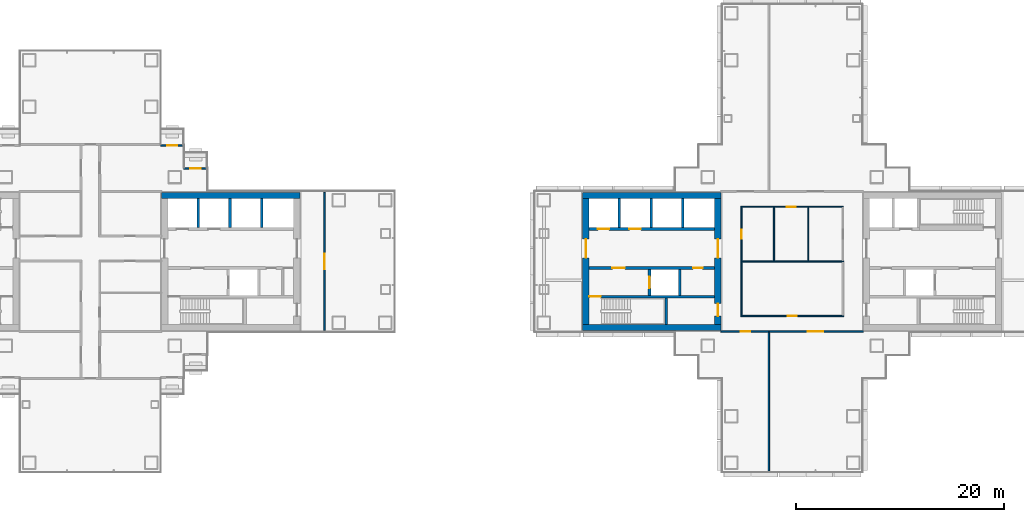
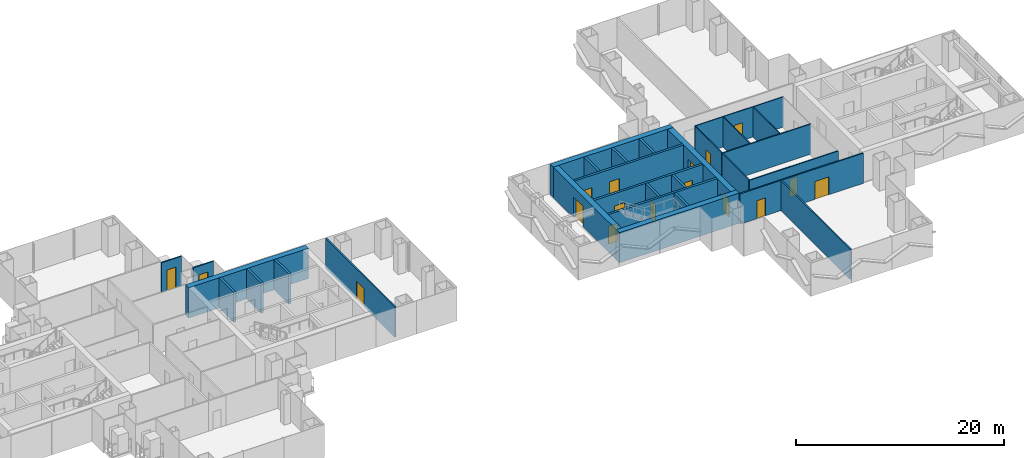
# One storey, part 14 of 20: 29 walls, 17 doors, 17 openings.
"""IFC4 building model written with IfcOpenShell, lengths in metres."""

from ifc_helpers import new_model, si_unit, direction, frame, frame_2d, origin, place, context, subcontext, project, spatial, rectangle, extrude, material, layer, layer_set, type_object, element, fill, save


model = new_model("IFC4")

# Units and contexts
model_context = context("Model", 3, precision=1e-05, world=origin(), true_north=direction((0.0, 1.0)))
body_context = subcontext(model_context, "Body", "Model", "MODEL_VIEW")
ifc_project = project(units=[si_unit("LENGTHUNIT", "METRE"), si_unit("AREAUNIT", "SQUARE_METRE"), si_unit("VOLUMEUNIT", "CUBIC_METRE"), si_unit("PLANEANGLEUNIT", "RADIAN"), si_unit("MASSUNIT", "GRAM", prefix="KILO")], contexts=[model_context])

# Site, building, storey
site_placement = place(None, origin())
site = spatial("IfcSite", under=ifc_project, at=site_placement, CompositionType="ELEMENT")
building_placement = place(site_placement, origin())
building = spatial("IfcBuilding", under=site, at=building_placement, Name="Shamsa Quay Exchange Towers", CompositionType="ELEMENT")
storey_placement = place(building_placement, frame((0.0, 0.0, 101.39990234375)))
storey = spatial("IfcBuildingStorey", under=building, at=storey_placement, Name="L23", CompositionType="ELEMENT", Elevation=101.39990234375)

# Wall, opening, door
ifc_material_1 = material(Name="Aluminium EN AW-6063 T6, black anodised, with black enamelled glass infill", Category="aluminium")
ifc_layer_1 = layer(ifc_material_1, 0.14990234375)
ifc_layer_set_1 = layer_set([ifc_layer_1], Name="BALCONY DOOR BAY WALL 150")
wall_type_1 = type_object("IfcWallType", Name="BALCONY DOOR BAY WALL 150", PredefinedType="SOLIDWALL", material=ifc_layer_set_1)
wall_1_placement = place(storey_placement, frame((-24.75, 8.925048828125, 0.0)))
wall_1 = element("IfcWall", 1, at=wall_1_placement, inside=storey, type_object=wall_type_1, Name="Door bay T1-PKEN L23", PredefinedType="SOLIDWALL", context=body_context, shape_type="SweptSolid", body=[
    extrude(rectangle(XDim=2.25, YDim=0.14990234375, at=frame_2d((1.125, 0.0))), origin(), (0.0, 0.0, 1.0), 3.4501953125),
])
opening_1_placement = place(wall_1_placement, frame((0.625, 0.0, 0.0)))
opening_1 = element("IfcOpeningElement", 2, at=opening_1_placement, cuts=wall_1, Name="Opening XD145", PredefinedType="OPENING", context=body_context, shape_type="SweptSolid", body=[
    extrude(rectangle(XDim=1.0, YDim=2.39990234375, at=frame_2d((0.5, 1.199951171875))), frame((0.0, 0.0849609375, 0.0), z_axis=(0.0, -1.0, 0.0), x_axis=(1.0, 0.0, 0.0)), (0.0, 0.0, 1.0), 0.169921875),
])
ifc_material_2 = material(Name="Aluminium EN AW-6063 T6, black anodised, with laminated glass leaf", Category="aluminium")
door_type_1 = type_object("IfcDoorType", Name="BALCONY DOOR 1000x2400", OperationType="SINGLE_SWING_LEFT", PredefinedType="DOOR", material=ifc_material_2)
door_1_placement = place(opening_1_placement, origin())
door_1 = element("IfcDoor", 3, at=door_1_placement, inside=storey, type_object=door_type_1, Name="Balcony door T1-PKEN L23", OperationType="SINGLE_SWING_RIGHT", OverallHeight=2.39990234375, OverallWidth=1.0, PredefinedType="DOOR", context=body_context, shape_type="SweptSolid", body=[
    extrude(rectangle(XDim=1.0, YDim=2.39990234375, at=frame_2d((0.5, 1.199951171875))), frame((0.0, 0.02490234375, 0.0), z_axis=(0.0, -1.0, 0.0), x_axis=(1.0, 0.0, 0.0)), (0.0, 0.0, 1.0), 0.050048828125),
])
fill(opening_1, door_1)

wall_2_placement = place(storey_placement, frame((-27.0, 11.175048828125, 0.0)))
wall_2 = element("IfcWall", 4, at=wall_2_placement, inside=storey, type_object=wall_type_1, Name="Door bay T1-PKEN L23", PredefinedType="SOLIDWALL", context=body_context, shape_type="SweptSolid", body=[
    extrude(rectangle(XDim=2.25, YDim=0.14990234375, at=frame_2d((1.125, 0.0))), origin(), (0.0, 0.0, 1.0), 3.4501953125),
])
opening_2_placement = place(wall_2_placement, frame((0.625, 0.0, 0.0)))
opening_2 = element("IfcOpeningElement", 5, at=opening_2_placement, cuts=wall_2, Name="Opening XD146", PredefinedType="OPENING", context=body_context, shape_type="SweptSolid", body=[
    extrude(rectangle(XDim=1.0, YDim=2.39990234375, at=frame_2d((0.5, 1.199951171875))), frame((0.0, 0.0849609375, 0.0), z_axis=(0.0, -1.0, 0.0), x_axis=(1.0, 0.0, 0.0)), (0.0, 0.0, 1.0), 0.169921875),
])
door_2_placement = place(opening_2_placement, origin())
door_2 = element("IfcDoor", 6, at=door_2_placement, inside=storey, type_object=door_type_1, Name="Balcony door T1-PKEN L23", OperationType="SINGLE_SWING_LEFT", OverallHeight=2.39990234375, OverallWidth=1.0, PredefinedType="DOOR", context=body_context, shape_type="SweptSolid", body=[
    extrude(rectangle(XDim=1.0, YDim=2.39990234375, at=frame_2d((0.5, 1.199951171875))), frame((0.0, 0.02490234375, 0.0), z_axis=(0.0, -1.0, 0.0), x_axis=(1.0, 0.0, 0.0)), (0.0, 0.0, 1.0), 0.050048828125),
])
fill(opening_2, door_2)

# Walls
ifc_material_3 = material(Name="Concrete C70/85", Category="concrete")
ifc_layer_2 = layer(ifc_material_3, 0.60009765625)
ifc_layer_set_2 = layer_set([ifc_layer_2], Name="CORE WALL 600 C70/85")
wall_type_2 = type_object("IfcWallType", Name="CORE WALL 600 C70/85", PredefinedType="SHEAR", material=ifc_layer_set_2)
for number, where, name in (
    (7, (-26.89990234375, 6.35009765625, 0.0), "Core wall T1A-R10-PN"),
    (8, (13.60009765625, -6.35009765625, 0.0), "Core wall T2A-R10-PS"),
    (9, (13.60009765625, 6.35009765625, 0.0), "Core wall T2A-R10-PN"),
):
    element("IfcWall", number, at=place(storey_placement, frame(where)), inside=storey, type_object=wall_type_2, Name=name, PredefinedType="SHEAR", context=body_context, shape_type="SweptSolid", body=[
        extrude(rectangle(XDim=13.2998046875, YDim=0.60009765625, at=frame_2d((6.64990234375, 0.0))), origin(), (0.0, 0.0, 1.0), 3.550048828125),
    ])

# Wall, opening, door
wall_3_placement = place(storey_placement, frame((13.89990234375, 6.050048828125, 0.0), z_axis=(0.0, 0.0, 1.0), x_axis=(0.0, -1.0, 0.0)))
wall_3 = element("IfcWall", 10, at=wall_3_placement, inside=storey, type_object=wall_type_2, Name="Core wall T2A-R10-PF", PredefinedType="SHEAR", context=body_context, shape_type="SweptSolid", body=[
    extrude(rectangle(XDim=12.10009765625, YDim=0.60009765625, at=frame_2d((6.050048828125, 0.0))), origin(), (0.0, 0.0, 1.0), 3.550048828125),
])
opening_3_placement = place(wall_3_placement, frame((3.89990234375, 0.0, 0.0)))
opening_3 = element("IfcOpeningElement", 11, at=opening_3_placement, cuts=wall_3, Name="Opening T2A-R10-LBD01", PredefinedType="OPENING", context=body_context, shape_type="SweptSolid", body=[
    extrude(rectangle(XDim=1.800048828125, YDim=2.39990234375, at=frame_2d((0.89990234375, 1.199951171875))), frame((0.0, 0.31005859375, 0.0), z_axis=(0.0, -1.0, 0.0), x_axis=(1.0, 0.0, 0.0)), (0.0, 0.0, 1.0), 0.6201171875),
])
ifc_material_4 = material(Name="Steel, fire rated", Category="steel")
door_type_2 = type_object("IfcDoorType", Name="LIFT LOBBY DOOR PAIR 1800", OperationType="DOUBLE_DOOR_SINGLE_SWING", PredefinedType="DOOR", material=ifc_material_4)
door_3_placement = place(opening_3_placement, origin())
door_3 = element("IfcDoor", 12, at=door_3_placement, inside=storey, type_object=door_type_2, Name="T2A-R10-LBD01", OperationType="DOUBLE_DOOR_SINGLE_SWING", OverallHeight=2.39990234375, OverallWidth=1.800048828125, PredefinedType="DOOR", context=body_context, shape_type="SweptSolid", body=[
    extrude(rectangle(XDim=1.800048828125, YDim=2.39990234375, at=frame_2d((0.89990234375, 1.199951171875))), frame((0.0, 0.02490234375, 0.0), z_axis=(0.0, -1.0, 0.0), x_axis=(1.0, 0.0, 0.0)), (0.0, 0.0, 1.0), 0.050048828125),
])
fill(opening_3, door_3)

# Wall, openings, doors
wall_4_placement = place(storey_placement, frame((26.60009765625, 6.050048828125, 0.0), z_axis=(0.0, 0.0, 1.0), x_axis=(0.0, -1.0, 0.0)))
wall_4 = element("IfcWall", 13, at=wall_4_placement, inside=storey, type_object=wall_type_2, Name="Core wall T2A-R10-PB", PredefinedType="SHEAR", context=body_context, shape_type="SweptSolid", body=[
    extrude(rectangle(XDim=12.10009765625, YDim=0.60009765625, at=frame_2d((6.050048828125, 0.0))), origin(), (0.0, 0.0, 1.0), 3.550048828125),
])
opening_4_placement = place(wall_4_placement, frame((10.10009765625, 0.0, 0.0)))
opening_4 = element("IfcOpeningElement", 14, at=opening_4_placement, cuts=wall_4, Name="Opening T2A-R10-RD02", PredefinedType="OPENING", context=body_context, shape_type="SweptSolid", body=[
    extrude(rectangle(XDim=1.199951171875, YDim=2.10009765625, at=frame_2d((0.60009765625, 1.050048828125))), frame((0.0, 0.31005859375, 0.0), z_axis=(0.0, -1.0, 0.0), x_axis=(1.0, 0.0, 0.0)), (0.0, 0.0, 1.0), 0.6201171875),
])
opening_5_placement = place(wall_4_placement, frame((3.89990234375, 0.0, 0.0)))
opening_5 = element("IfcOpeningElement", 15, at=opening_5_placement, cuts=wall_4, Name="Opening T2A-R10-LBD03", PredefinedType="OPENING", context=body_context, shape_type="SweptSolid", body=[
    extrude(rectangle(XDim=1.800048828125, YDim=2.39990234375, at=frame_2d((0.89990234375, 1.199951171875))), frame((0.0, 0.31005859375, 0.0), z_axis=(0.0, -1.0, 0.0), x_axis=(1.0, 0.0, 0.0)), (0.0, 0.0, 1.0), 0.6201171875),
])
door_4_placement = place(opening_5_placement, origin())
door_4 = element("IfcDoor", 16, at=door_4_placement, inside=storey, type_object=door_type_2, Name="T2A-R10-LBD03", OperationType="DOUBLE_DOOR_SINGLE_SWING", OverallHeight=2.39990234375, OverallWidth=1.800048828125, PredefinedType="DOOR", context=body_context, shape_type="SweptSolid", body=[
    extrude(rectangle(XDim=1.800048828125, YDim=2.39990234375, at=frame_2d((0.89990234375, 1.199951171875))), frame((0.0, 0.02490234375, 0.0), z_axis=(0.0, -1.0, 0.0), x_axis=(1.0, 0.0, 0.0)), (0.0, 0.0, 1.0), 0.050048828125),
])
fill(opening_5, door_4)
door_type_3 = type_object("IfcDoorType", Name="RISER ACCESS DOOR 1200", OperationType="SINGLE_SWING_LEFT", PredefinedType="DOOR", material=ifc_material_4)
door_5_placement = place(opening_4_placement, origin())
door_5 = element("IfcDoor", 17, at=door_5_placement, inside=storey, type_object=door_type_3, Name="T2A-R10-RD02", OperationType="SINGLE_SWING_RIGHT", OverallHeight=2.10009765625, OverallWidth=1.199951171875, PredefinedType="DOOR", context=body_context, shape_type="SweptSolid", body=[
    extrude(rectangle(XDim=1.199951171875, YDim=2.10009765625, at=frame_2d((0.60009765625, 1.050048828125))), frame((0.0, 0.02490234375, 0.0), z_axis=(0.0, -1.0, 0.0), x_axis=(1.0, 0.0, 0.0)), (0.0, 0.0, 1.0), 0.050048828125),
])
fill(opening_4, door_5)

# Wall, opening, door
ifc_material_5 = material(Name="Laminated fire-resisting glass in a metal frame", Category="glass")
ifc_layer_3 = layer(ifc_material_5, 0.125)
ifc_layer_set_3 = layer_set([ifc_layer_3], Name="Glazed partition 125 mm EI 60")
wall_type_3 = type_object("IfcWallType", Name="Glazed partition 125 mm EI 60", PredefinedType="PARTITIONING", material=ifc_layer_set_3)
wall_5_placement = place(storey_placement, frame((28.8125, -5.25, 0.0)))
wall_5 = element("IfcWall", 18, at=wall_5_placement, inside=storey, type_object=wall_type_3, Name="Partition T2-R10-W02", PredefinedType="PARTITIONING", context=body_context, shape_type="SweptSolid", body=[
    extrude(rectangle(XDim=9.875, YDim=0.125, at=frame_2d((4.9375, 0.0))), origin(), (0.0, 0.0, 1.0), 3.550048828125),
])
opening_6_placement = place(wall_5_placement, frame((4.487548828125, 0.0, 0.0)))
opening_6 = element("IfcOpeningElement", 19, at=opening_6_placement, cuts=wall_5, Name="Opening T2-R10-D03", PredefinedType="OPENING", context=body_context, shape_type="SweptSolid", body=[
    extrude(rectangle(XDim=0.89990234375, YDim=2.10009765625, at=frame_2d((0.449951171875, 1.050048828125))), frame((0.0, 0.072509765625, 0.0), z_axis=(0.0, -1.0, 0.0), x_axis=(1.0, 0.0, 0.0)), (0.0, 0.0, 1.0), 0.14501953125),
])
ifc_material_6 = material(Name="Timber door leaf in a metal frame", Category="wood")
door_type_4 = type_object("IfcDoorType", Name="Door 900x2100 FD30S", OperationType="NOTDEFINED", PredefinedType="DOOR", material=ifc_material_6)
door_6_placement = place(opening_6_placement, origin())
door_6 = element("IfcDoor", 20, at=door_6_placement, inside=storey, type_object=door_type_4, Name="Door T2-R10-D03", OperationType="SINGLE_SWING_RIGHT", OverallHeight=2.10009765625, OverallWidth=0.89990234375, PredefinedType="DOOR", context=body_context, shape_type="SweptSolid", body=[
    extrude(rectangle(XDim=0.89990234375, YDim=2.10009765625, at=frame_2d((0.449951171875, 1.050048828125))), frame((0.0, 0.02490234375, 0.0), z_axis=(0.0, -1.0, 0.0), x_axis=(1.0, 0.0, 0.0)), (0.0, 0.0, 1.0), 0.050048828125),
])
fill(opening_6, door_6)

# Walls
wall_6_placement = place(storey_placement, frame((28.875, -0.0625, 0.0), z_axis=(0.0, 0.0, 1.0), x_axis=(0.0, -1.0, 0.0)))
element("IfcWall", 21, at=wall_6_placement, inside=storey, type_object=wall_type_3, Name="Partition T2-R10-W03", PredefinedType="PARTITIONING", context=body_context, shape_type="SweptSolid", body=[
    extrude(rectangle(XDim=5.125, YDim=0.125, at=frame_2d((2.5625, 0.0))), origin(), (0.0, 0.0, 1.0), 3.550048828125),
])
wall_7_placement = place(storey_placement, frame((38.6875, 0.0, 0.0), z_axis=(0.0, 0.0, 1.0), x_axis=(-1.0, 0.0, 0.0)))
element("IfcWall", 22, at=wall_7_placement, inside=storey, type_object=wall_type_3, Name="Partition T2-R10-W09", PredefinedType="PARTITIONING", context=body_context, shape_type="SweptSolid", body=[
    extrude(rectangle(XDim=9.875, YDim=0.125, at=frame_2d((4.9375, 0.0))), origin(), (0.0, 0.0, 1.0), 3.550048828125),
])

# Wall, opening, door
ifc_material_7 = material(Name="Gypsum board partition on metal studs")
ifc_layer_4 = layer(ifc_material_7, 0.10009765625)
ifc_layer_set_4 = layer_set([ifc_layer_4], Name="Partition 100 mm NOT RATED")
wall_type_4 = type_object("IfcWallType", Name="Partition 100 mm NOT RATED", PredefinedType="PARTITIONING", material=ifc_layer_set_4)
wall_8_placement = place(storey_placement, frame((38.675048828125, 5.25, 0.0), z_axis=(0.0, 0.0, 1.0), x_axis=(-1.0, 0.0, 0.0)))
wall_8 = element("IfcWall", 23, at=wall_8_placement, inside=storey, type_object=wall_type_4, Name="Partition T2-R10-W05", PredefinedType="PARTITIONING", context=body_context, shape_type="SweptSolid", body=[
    extrude(rectangle(XDim=9.85009765625, YDim=0.10009765625, at=frame_2d((4.925048828125, 0.0))), origin(), (0.0, 0.0, 1.0), 3.550048828125),
])
opening_7_placement = place(wall_8_placement, frame((4.568603515625, 0.0, 0.0)))
opening_7 = element("IfcOpeningElement", 24, at=opening_7_placement, cuts=wall_8, Name="Opening T2-R10-D06", PredefinedType="OPENING", context=body_context, shape_type="SweptSolid", body=[
    extrude(rectangle(XDim=0.89990234375, YDim=2.10009765625, at=frame_2d((0.449951171875, 1.050048828125))), frame((0.0, 0.06005859375, 0.0), z_axis=(0.0, -1.0, 0.0), x_axis=(1.0, 0.0, 0.0)), (0.0, 0.0, 1.0), 0.1201171875),
])
door_type_5 = type_object("IfcDoorType", Name="Door 900x2100 NOT RATED", OperationType="NOTDEFINED", PredefinedType="DOOR", material=ifc_material_6)
door_7_placement = place(opening_7_placement, origin())
door_7 = element("IfcDoor", 25, at=door_7_placement, inside=storey, type_object=door_type_5, Name="Door T2-R10-D06", OperationType="SINGLE_SWING_LEFT", OverallHeight=2.10009765625, OverallWidth=0.89990234375, PredefinedType="DOOR", context=body_context, shape_type="SweptSolid", body=[
    extrude(rectangle(XDim=0.89990234375, YDim=2.10009765625, at=frame_2d((0.449951171875, 1.050048828125))), frame((0.0, 0.02490234375, 0.0), z_axis=(0.0, -1.0, 0.0), x_axis=(1.0, 0.0, 0.0)), (0.0, 0.0, 1.0), 0.050048828125),
])
fill(opening_7, door_7)

wall_9_placement = place(storey_placement, frame((28.875, 5.199951171875, 0.0), z_axis=(0.0, 0.0, 1.0), x_axis=(0.0, -1.0, 0.0)))
wall_9 = element("IfcWall", 26, at=wall_9_placement, inside=storey, type_object=wall_type_4, Name="Partition T2-R10-W06", PredefinedType="PARTITIONING", context=body_context, shape_type="SweptSolid", body=[
    extrude(rectangle(XDim=5.137451171875, YDim=0.10009765625, at=frame_2d((2.56884765625, 0.0))), origin(), (0.0, 0.0, 1.0), 3.550048828125),
])
opening_8_placement = place(wall_9_placement, frame((2.125, 0.0, 0.0)))
opening_8 = element("IfcOpeningElement", 27, at=opening_8_placement, cuts=wall_9, Name="Opening T2-R10-D05", PredefinedType="OPENING", context=body_context, shape_type="SweptSolid", body=[
    extrude(rectangle(XDim=0.89990234375, YDim=2.10009765625, at=frame_2d((0.449951171875, 1.050048828125))), frame((0.0, 0.06005859375, 0.0), z_axis=(0.0, -1.0, 0.0), x_axis=(1.0, 0.0, 0.0)), (0.0, 0.0, 1.0), 0.1201171875),
])
door_8_placement = place(opening_8_placement, origin())
door_8 = element("IfcDoor", 28, at=door_8_placement, inside=storey, type_object=door_type_5, Name="Door T2-R10-D05", OperationType="SINGLE_SWING_RIGHT", OverallHeight=2.10009765625, OverallWidth=0.89990234375, PredefinedType="DOOR", context=body_context, shape_type="SweptSolid", body=[
    extrude(rectangle(XDim=0.89990234375, YDim=2.10009765625, at=frame_2d((0.449951171875, 1.050048828125))), frame((0.0, 0.02490234375, 0.0), z_axis=(0.0, -1.0, 0.0), x_axis=(1.0, 0.0, 0.0)), (0.0, 0.0, 1.0), 0.050048828125),
])
fill(opening_8, door_8)

# Walls
for number, where, z_axis, x_axis, name in (
    (29, (35.3125, 5.199951171875, 0.0), (0.0, 0.0, 1.0), (0.0, -1.0, 0.0), "Partition T2-R10-W10"),
    (30, (32.0, 5.199951171875, 0.0), (0.0, 0.0, 1.0), (0.0, -1.0, 0.0), "Partition T2-R10-W11"),
):
    element("IfcWall", number, at=place(storey_placement, frame(where, z_axis=z_axis, x_axis=x_axis)), inside=storey, type_object=wall_type_4, Name=name, PredefinedType="PARTITIONING", context=body_context, shape_type="SweptSolid", body=[
        extrude(rectangle(XDim=5.137451171875, YDim=0.10009765625, at=frame_2d((2.56884765625, 0.0))), origin(), (0.0, 0.0, 1.0), 3.550048828125),
    ])

# Wall, opening, door
ifc_layer_5 = layer(ifc_material_7, 0.14990234375)
ifc_layer_set_5 = layer_set([ifc_layer_5], Name="Partition 150 mm EI 60")
wall_type_5 = type_object("IfcWallType", Name="Partition 150 mm EI 60", PredefinedType="PARTITIONING", material=ifc_layer_set_5)
wall_10_placement = place(storey_placement, frame((-11.25, 6.655029296875, 0.0), z_axis=(0.0, 0.0, 1.0), x_axis=(0.0, -1.0, 0.0)))
wall_10 = element("IfcWall", 31, at=wall_10_placement, inside=storey, type_object=wall_type_5, Name="Partition T1-R10-W13", PredefinedType="PARTITIONING", context=body_context, shape_type="SweptSolid", body=[
    extrude(rectangle(XDim=13.31005859375, YDim=0.14990234375, at=frame_2d((6.655029296875, 0.0))), origin(), (0.0, 0.0, 1.0), 3.550048828125),
])
opening_9_placement = place(wall_10_placement, frame((5.905029296875, 0.0, 0.0)))
opening_9 = element("IfcOpeningElement", 32, at=opening_9_placement, cuts=wall_10, Name="Opening T1-R10-D12", PredefinedType="OPENING", context=body_context, shape_type="SweptSolid", body=[
    extrude(rectangle(XDim=1.5, YDim=2.10009765625, at=frame_2d((0.75, 1.050048828125))), frame((0.0, 0.0849609375, 0.0), z_axis=(0.0, -1.0, 0.0), x_axis=(1.0, 0.0, 0.0)), (0.0, 0.0, 1.0), 0.169921875),
])
door_type_6 = type_object("IfcDoorType", Name="Door 1500x2100 FD30S pair", OperationType="NOTDEFINED", PredefinedType="DOOR", material=ifc_material_6)
door_9_placement = place(opening_9_placement, origin())
door_9 = element("IfcDoor", 33, at=door_9_placement, inside=storey, type_object=door_type_6, Name="Door T1-R10-D12", OperationType="DOUBLE_DOOR_SINGLE_SWING", OverallHeight=2.10009765625, OverallWidth=1.5, PredefinedType="DOOR", context=body_context, shape_type="SweptSolid", body=[
    extrude(rectangle(XDim=1.5, YDim=2.10009765625, at=frame_2d((0.75, 1.050048828125))), frame((0.0, 0.02490234375, 0.0), z_axis=(0.0, -1.0, 0.0), x_axis=(1.0, 0.0, 0.0)), (0.0, 0.0, 1.0), 0.050048828125),
])
fill(opening_9, door_9)

# Wall, openings, doors
wall_11_placement = place(storey_placement, frame((40.60009765625, -6.75, 0.0), z_axis=(0.0, 0.0, 1.0), x_axis=(-1.0, 0.0, 0.0)))
wall_11 = element("IfcWall", 34, at=wall_11_placement, inside=storey, type_object=wall_type_5, Name="Partition T2-R10-W08", PredefinedType="PARTITIONING", context=body_context, shape_type="SweptSolid", body=[
    extrude(rectangle(XDim=13.7001953125, YDim=0.14990234375, at=frame_2d((6.85009765625, 0.0))), origin(), (0.0, 0.0, 1.0), 3.550048828125),
])
opening_10_placement = place(wall_11_placement, frame((10.89990234375, 0.0, 0.0)))
opening_10 = element("IfcOpeningElement", 35, at=opening_10_placement, cuts=wall_11, Name="Opening T2-R10-D07", PredefinedType="OPENING", context=body_context, shape_type="SweptSolid", body=[
    extrude(rectangle(XDim=0.89990234375, YDim=2.10009765625, at=frame_2d((0.449951171875, 1.050048828125))), frame((0.0, 0.0849609375, 0.0), z_axis=(0.0, -1.0, 0.0), x_axis=(1.0, 0.0, 0.0)), (0.0, 0.0, 1.0), 0.169921875),
])
opening_11_placement = place(wall_11_placement, frame((3.85009765625, 0.0, 0.0)))
opening_11 = element("IfcOpeningElement", 36, at=opening_11_placement, cuts=wall_11, Name="Opening T2-R10-D08", PredefinedType="OPENING", context=body_context, shape_type="SweptSolid", body=[
    extrude(rectangle(XDim=1.5, YDim=2.10009765625, at=frame_2d((0.75, 1.050048828125))), frame((0.0, 0.0849609375, 0.0), z_axis=(0.0, -1.0, 0.0), x_axis=(1.0, 0.0, 0.0)), (0.0, 0.0, 1.0), 0.169921875),
])
door_10_placement = place(opening_11_placement, origin())
door_10 = element("IfcDoor", 37, at=door_10_placement, inside=storey, type_object=door_type_6, Name="Door T2-R10-D08", OperationType="DOUBLE_DOOR_SINGLE_SWING", OverallHeight=2.10009765625, OverallWidth=1.5, PredefinedType="DOOR", context=body_context, shape_type="SweptSolid", body=[
    extrude(rectangle(XDim=1.5, YDim=2.10009765625, at=frame_2d((0.75, 1.050048828125))), frame((0.0, 0.02490234375, 0.0), z_axis=(0.0, -1.0, 0.0), x_axis=(1.0, 0.0, 0.0)), (0.0, 0.0, 1.0), 0.050048828125),
])
fill(opening_11, door_10)
door_11_placement = place(opening_10_placement, origin())
door_11 = element("IfcDoor", 38, at=door_11_placement, inside=storey, type_object=door_type_4, Name="Door T2-R10-D07", OperationType="SINGLE_SWING_LEFT", OverallHeight=2.10009765625, OverallWidth=0.89990234375, PredefinedType="DOOR", context=body_context, shape_type="SweptSolid", body=[
    extrude(rectangle(XDim=0.89990234375, YDim=2.10009765625, at=frame_2d((0.449951171875, 1.050048828125))), frame((0.0, 0.02490234375, 0.0), z_axis=(0.0, -1.0, 0.0), x_axis=(1.0, 0.0, 0.0)), (0.0, 0.0, 1.0), 0.050048828125),
])
fill(opening_10, door_11)

# Walls
wall_12_placement = place(storey_placement, frame((31.5, -6.824951171875, 0.0), z_axis=(0.0, 0.0, 1.0), x_axis=(0.0, -1.0, 0.0)))
element("IfcWall", 39, at=wall_12_placement, inside=storey, type_object=wall_type_5, Name="Partition T2-R10-W12", PredefinedType="PARTITIONING", context=body_context, shape_type="SweptSolid", body=[
    extrude(rectangle(XDim=13.330078125, YDim=0.14990234375, at=frame_2d((6.6650390625, 0.0))), origin(), (0.0, 0.0, 1.0), 3.550048828125),
])
ifc_material_8 = material(Name="Concrete C50/60", Category="concrete")
ifc_layer_6 = layer(ifc_material_8, 0.25)
ifc_layer_set_6 = layer_set([ifc_layer_6], Name="SHAFT WALL 250 C50/60")
wall_type_6 = type_object("IfcWallType", Name="SHAFT WALL 250 C50/60", PredefinedType="SHEAR", material=ifc_layer_set_6)
for number, where, z_axis, x_axis, name in (
    (40, (-23.375, 3.25, 0.0), (0.0, 0.0, 1.0), (0.0, 1.0, 0.0), "Shaft wall T1A-R10-D0"),
    (41, (-20.324951171875, 3.25, 0.0), (0.0, 0.0, 1.0), (0.0, 1.0, 0.0), "Shaft wall T1A-R10-D1"),
    (42, (-17.27490234375, 3.25, 0.0), (0.0, 0.0, 1.0), (0.0, 1.0, 0.0), "Shaft wall T1A-R10-D2"),
):
    element("IfcWall", number, at=place(storey_placement, frame(where, z_axis=z_axis, x_axis=x_axis)), inside=storey, type_object=wall_type_6, Name=name, PredefinedType="SHEAR", context=body_context, shape_type="SweptSolid", body=[
        extrude(rectangle(XDim=2.800048828125, YDim=0.25, at=frame_2d((1.39990234375, 0.0))), origin(), (0.0, 0.0, 1.0), 3.550048828125),
    ])

# Wall, opening, door
wall_13_placement = place(storey_placement, frame((26.300048828125, -3.375, 0.0), z_axis=(0.0, 0.0, 1.0), x_axis=(-1.0, 0.0, 0.0)))
wall_13 = element("IfcWall", 43, at=wall_13_placement, inside=storey, type_object=wall_type_6, Name="Shaft wall T2A-R10-STL", PredefinedType="SHEAR", context=body_context, shape_type="SweptSolid", body=[
    extrude(rectangle(XDim=12.10009765625, YDim=0.25, at=frame_2d((6.050048828125, 0.0))), origin(), (0.0, 0.0, 1.0), 3.550048828125),
])
opening_12_placement = place(wall_13_placement, frame((10.949951171875, 0.0, 0.0)))
opening_12 = element("IfcOpeningElement", 44, at=opening_12_placement, cuts=wall_13, Name="Opening T2A-R10-SD04", PredefinedType="OPENING", context=body_context, shape_type="SweptSolid", body=[
    extrude(rectangle(XDim=1.10009765625, YDim=2.10009765625, at=frame_2d((0.550048828125, 1.050048828125))), frame((0.0, 0.135009765625, 0.0), z_axis=(0.0, -1.0, 0.0), x_axis=(1.0, 0.0, 0.0)), (0.0, 0.0, 1.0), 0.27001953125),
])
door_type_7 = type_object("IfcDoorType", Name="STAIR DOOR 1100", OperationType="SINGLE_SWING_LEFT", PredefinedType="DOOR", material=ifc_material_4)
door_12_placement = place(opening_12_placement, origin())
door_12 = element("IfcDoor", 45, at=door_12_placement, inside=storey, type_object=door_type_7, Name="T2A-R10-SD04", OperationType="SINGLE_SWING_RIGHT", OverallHeight=2.10009765625, OverallWidth=1.10009765625, PredefinedType="DOOR", context=body_context, shape_type="SweptSolid", body=[
    extrude(rectangle(XDim=1.10009765625, YDim=2.10009765625, at=frame_2d((0.550048828125, 1.050048828125))), frame((0.0, 0.02490234375, 0.0), z_axis=(0.0, -1.0, 0.0), x_axis=(1.0, 0.0, 0.0)), (0.0, 0.0, 1.0), 0.050048828125),
])
fill(opening_12, door_12)

# Wall
wall_14_placement = place(storey_placement, frame((21.625, -6.050048828125, 0.0), z_axis=(0.0, 0.0, 1.0), x_axis=(0.0, 1.0, 0.0)))
element("IfcWall", 46, at=wall_14_placement, inside=storey, type_object=wall_type_6, Name="Shaft wall T2A-R10-STF", PredefinedType="SHEAR", context=body_context, shape_type="SweptSolid", body=[
    extrude(rectangle(XDim=2.550048828125, YDim=0.25, at=frame_2d((1.27490234375, 0.0))), origin(), (0.0, 0.0, 1.0), 3.550048828125),
])

# Wall, openings, doors
wall_15_placement = place(storey_placement, frame((26.300048828125, -0.625, 0.0), z_axis=(0.0, 0.0, 1.0), x_axis=(-1.0, 0.0, 0.0)))
wall_15 = element("IfcWall", 47, at=wall_15_placement, inside=storey, type_object=wall_type_6, Name="Shaft wall T2A-R10-B", PredefinedType="SHEAR", context=body_context, shape_type="SweptSolid", body=[
    extrude(rectangle(XDim=12.10009765625, YDim=0.25, at=frame_2d((6.050048828125, 0.0))), origin(), (0.0, 0.0, 1.0), 3.550048828125),
])
opening_13_placement = place(wall_15_placement, frame((8.64990234375, 0.0, 0.0)))
opening_13 = element("IfcOpeningElement", 48, at=opening_13_placement, cuts=wall_15, Name="Opening T2A-R10-FD05", PredefinedType="OPENING", context=body_context, shape_type="SweptSolid", body=[
    extrude(rectangle(XDim=1.199951171875, YDim=2.10009765625, at=frame_2d((0.60009765625, 1.050048828125))), frame((0.0, 0.135009765625, 0.0), z_axis=(0.0, -1.0, 0.0), x_axis=(1.0, 0.0, 0.0)), (0.0, 0.0, 1.0), 0.27001953125),
])
opening_14_placement = place(wall_15_placement, frame((1.175048828125, 0.0, 0.0)))
opening_14 = element("IfcOpeningElement", 49, at=opening_14_placement, cuts=wall_15, Name="Opening T2A-R10-SV06", PredefinedType="OPENING", context=body_context, shape_type="SweptSolid", body=[
    extrude(rectangle(XDim=0.89990234375, YDim=2.10009765625, at=frame_2d((0.449951171875, 1.050048828125))), frame((0.0, 0.135009765625, 0.0), z_axis=(0.0, -1.0, 0.0), x_axis=(1.0, 0.0, 0.0)), (0.0, 0.0, 1.0), 0.27001953125),
])
door_type_8 = type_object("IfcDoorType", Name="FIRE SERVICE LOBBY DOOR 1200", OperationType="SINGLE_SWING_LEFT", PredefinedType="DOOR", material=ifc_material_4)
door_13_placement = place(opening_13_placement, origin())
door_13 = element("IfcDoor", 50, at=door_13_placement, inside=storey, type_object=door_type_8, Name="T2A-R10-FD05", OperationType="SINGLE_SWING_RIGHT", OverallHeight=2.10009765625, OverallWidth=1.199951171875, PredefinedType="DOOR", context=body_context, shape_type="SweptSolid", body=[
    extrude(rectangle(XDim=1.199951171875, YDim=2.10009765625, at=frame_2d((0.60009765625, 1.050048828125))), frame((0.0, 0.02490234375, 0.0), z_axis=(0.0, -1.0, 0.0), x_axis=(1.0, 0.0, 0.0)), (0.0, 0.0, 1.0), 0.050048828125),
])
fill(opening_13, door_13)
door_type_9 = type_object("IfcDoorType", Name="SERVICE ROOM DOOR 900", OperationType="SINGLE_SWING_LEFT", PredefinedType="DOOR", material=ifc_material_4)
door_14_placement = place(opening_14_placement, origin())
door_14 = element("IfcDoor", 51, at=door_14_placement, inside=storey, type_object=door_type_9, Name="T2A-R10-SV06", OperationType="SINGLE_SWING_LEFT", OverallHeight=2.10009765625, OverallWidth=0.89990234375, PredefinedType="DOOR", context=body_context, shape_type="SweptSolid", body=[
    extrude(rectangle(XDim=0.89990234375, YDim=2.10009765625, at=frame_2d((0.449951171875, 1.050048828125))), frame((0.0, 0.02490234375, 0.0), z_axis=(0.0, -1.0, 0.0), x_axis=(1.0, 0.0, 0.0)), (0.0, 0.0, 1.0), 0.050048828125),
])
fill(opening_14, door_14)

# Wall, opening, door
wall_16_placement = place(storey_placement, frame((20.02490234375, -3.25, 0.0), z_axis=(0.0, 0.0, 1.0), x_axis=(0.0, 1.0, 0.0)))
wall_16 = element("IfcWall", 52, at=wall_16_placement, inside=storey, type_object=wall_type_6, Name="Shaft wall T2A-R10-FFF", PredefinedType="SHEAR", context=body_context, shape_type="SweptSolid", body=[
    extrude(rectangle(XDim=2.5, YDim=0.25, at=frame_2d((1.25, 0.0))), origin(), (0.0, 0.0, 1.0), 3.550048828125),
])
opening_15_placement = place(wall_16_placement, frame((0.699951171875, 0.0, 0.0)))
opening_15 = element("IfcOpeningElement", 53, at=opening_15_placement, cuts=wall_16, Name="Opening T2A-R10-LDF07", PredefinedType="OPENING", context=body_context, shape_type="SweptSolid", body=[
    extrude(rectangle(XDim=1.10009765625, YDim=2.10009765625, at=frame_2d((0.550048828125, 1.050048828125))), frame((0.0, 0.135009765625, 0.0), z_axis=(0.0, -1.0, 0.0), x_axis=(1.0, 0.0, 0.0)), (0.0, 0.0, 1.0), 0.27001953125),
])
door_type_10 = type_object("IfcDoorType", Name="FIRE SERVICE LANDING DOOR 1100", OperationType="SLIDING_TO_LEFT", PredefinedType="DOOR", material=ifc_material_4)
door_15_placement = place(opening_15_placement, origin())
door_15 = element("IfcDoor", 54, at=door_15_placement, inside=storey, type_object=door_type_10, Name="T2A-R10-LDF07", OperationType="SLIDING_TO_LEFT", OverallHeight=2.10009765625, OverallWidth=1.10009765625, PredefinedType="DOOR", context=body_context, shape_type="SweptSolid", body=[
    extrude(rectangle(XDim=1.10009765625, YDim=2.10009765625, at=frame_2d((0.550048828125, 1.050048828125))), frame((0.0, 0.02490234375, 0.0), z_axis=(0.0, -1.0, 0.0), x_axis=(1.0, 0.0, 0.0)), (0.0, 0.0, 1.0), 0.050048828125),
])
fill(opening_15, door_15)

# Wall
wall_17_placement = place(storey_placement, frame((22.925048828125, -3.25, 0.0), z_axis=(0.0, 0.0, 1.0), x_axis=(0.0, 1.0, 0.0)))
element("IfcWall", 55, at=wall_17_placement, inside=storey, type_object=wall_type_6, Name="Shaft wall T2A-R10-FFB", PredefinedType="SHEAR", context=body_context, shape_type="SweptSolid", body=[
    extrude(rectangle(XDim=2.5, YDim=0.25, at=frame_2d((1.25, 0.0))), origin(), (0.0, 0.0, 1.0), 3.550048828125),
])

# Wall, openings, doors
wall_18_placement = place(storey_placement, frame((14.199951171875, 3.125, 0.0)))
wall_18 = element("IfcWall", 56, at=wall_18_placement, inside=storey, type_object=wall_type_6, Name="Shaft wall T2A-R10-N", PredefinedType="SHEAR", context=body_context, shape_type="SweptSolid", body=[
    extrude(rectangle(XDim=12.10009765625, YDim=0.25, at=frame_2d((6.050048828125, 0.0))), origin(), (0.0, 0.0, 1.0), 3.550048828125),
])
opening_16_placement = place(wall_18_placement, frame((0.85009765625, 0.0, 0.0)))
opening_16 = element("IfcOpeningElement", 57, at=opening_16_placement, cuts=wall_18, Name="Opening T2A-R10-LD08", PredefinedType="OPENING", context=body_context, shape_type="SweptSolid", body=[
    extrude(rectangle(XDim=1.10009765625, YDim=2.10009765625, at=frame_2d((0.550048828125, 1.050048828125))), frame((0.0, 0.135009765625, 0.0), z_axis=(0.0, -1.0, 0.0), x_axis=(1.0, 0.0, 0.0)), (0.0, 0.0, 1.0), 0.27001953125),
])
opening_17_placement = place(wall_18_placement, frame((3.89990234375, 0.0, 0.0)))
opening_17 = element("IfcOpeningElement", 58, at=opening_17_placement, cuts=wall_18, Name="Opening T2A-R10-LD09", PredefinedType="OPENING", context=body_context, shape_type="SweptSolid", body=[
    extrude(rectangle(XDim=1.10009765625, YDim=2.10009765625, at=frame_2d((0.550048828125, 1.050048828125))), frame((0.0, 0.135009765625, 0.0), z_axis=(0.0, -1.0, 0.0), x_axis=(1.0, 0.0, 0.0)), (0.0, 0.0, 1.0), 0.27001953125),
])
door_type_11 = type_object("IfcDoorType", Name="LANDING DOOR 1100", OperationType="SLIDING_TO_LEFT", PredefinedType="DOOR", material=ifc_material_4)
door_16_placement = place(opening_16_placement, origin())
door_16 = element("IfcDoor", 59, at=door_16_placement, inside=storey, type_object=door_type_11, Name="T2A-R10-LD08", OperationType="SLIDING_TO_LEFT", OverallHeight=2.10009765625, OverallWidth=1.10009765625, PredefinedType="DOOR", context=body_context, shape_type="SweptSolid", body=[
    extrude(rectangle(XDim=1.10009765625, YDim=2.10009765625, at=frame_2d((0.550048828125, 1.050048828125))), frame((0.0, 0.02490234375, 0.0), z_axis=(0.0, -1.0, 0.0), x_axis=(1.0, 0.0, 0.0)), (0.0, 0.0, 1.0), 0.050048828125),
])
fill(opening_16, door_16)
door_17_placement = place(opening_17_placement, origin())
door_17 = element("IfcDoor", 60, at=door_17_placement, inside=storey, type_object=door_type_11, Name="T2A-R10-LD09", OperationType="SLIDING_TO_LEFT", OverallHeight=2.10009765625, OverallWidth=1.10009765625, PredefinedType="DOOR", context=body_context, shape_type="SweptSolid", body=[
    extrude(rectangle(XDim=1.10009765625, YDim=2.10009765625, at=frame_2d((0.550048828125, 1.050048828125))), frame((0.0, 0.02490234375, 0.0), z_axis=(0.0, -1.0, 0.0), x_axis=(1.0, 0.0, 0.0)), (0.0, 0.0, 1.0), 0.050048828125),
])
fill(opening_17, door_17)

# Walls
for number, where, z_axis, x_axis, name in (
    (61, (17.125, 3.25, 0.0), (0.0, 0.0, 1.0), (0.0, 1.0, 0.0), "Shaft wall T2A-R10-D0"),
    (62, (20.175048828125, 3.25, 0.0), (0.0, 0.0, 1.0), (0.0, 1.0, 0.0), "Shaft wall T2A-R10-D1"),
    (63, (23.22509765625, 3.25, 0.0), (0.0, 0.0, 1.0), (0.0, 1.0, 0.0), "Shaft wall T2A-R10-D2"),
):
    element("IfcWall", number, at=place(storey_placement, frame(where, z_axis=z_axis, x_axis=x_axis)), inside=storey, type_object=wall_type_6, Name=name, PredefinedType="SHEAR", context=body_context, shape_type="SweptSolid", body=[
        extrude(rectangle(XDim=2.800048828125, YDim=0.25, at=frame_2d((1.39990234375, 0.0))), origin(), (0.0, 0.0, 1.0), 3.550048828125),
    ])

save(model, "model.ifc")
